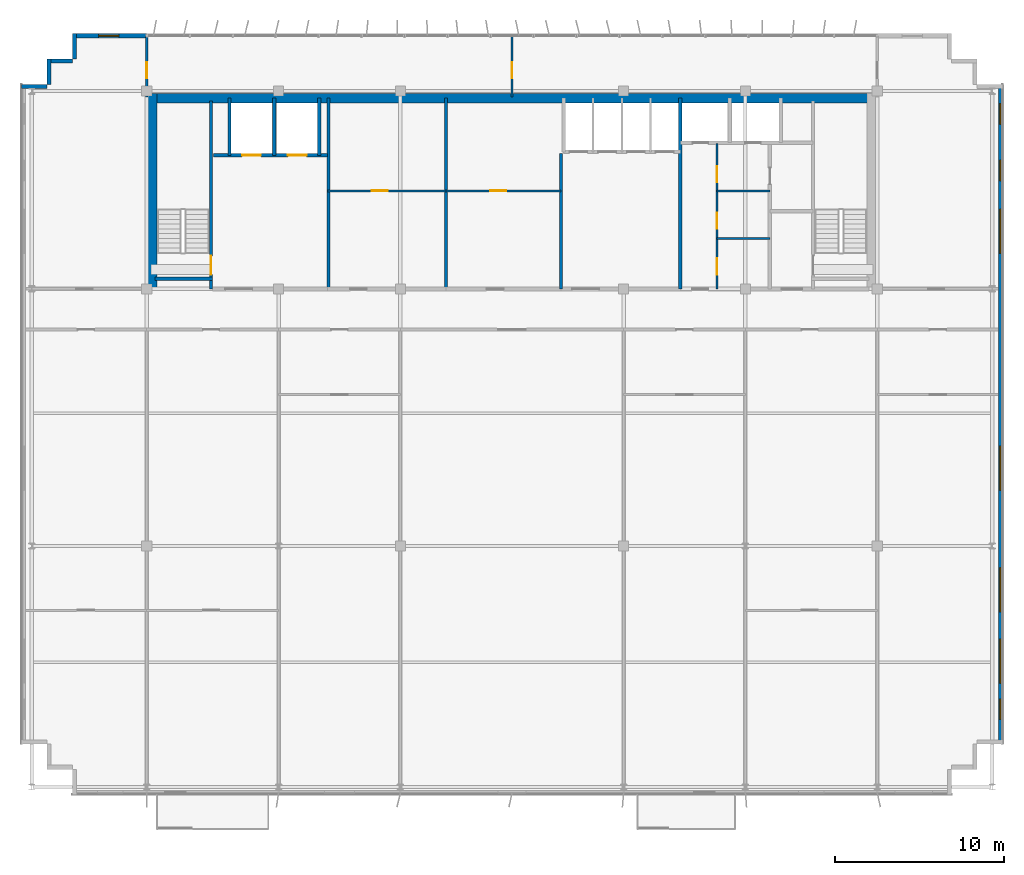
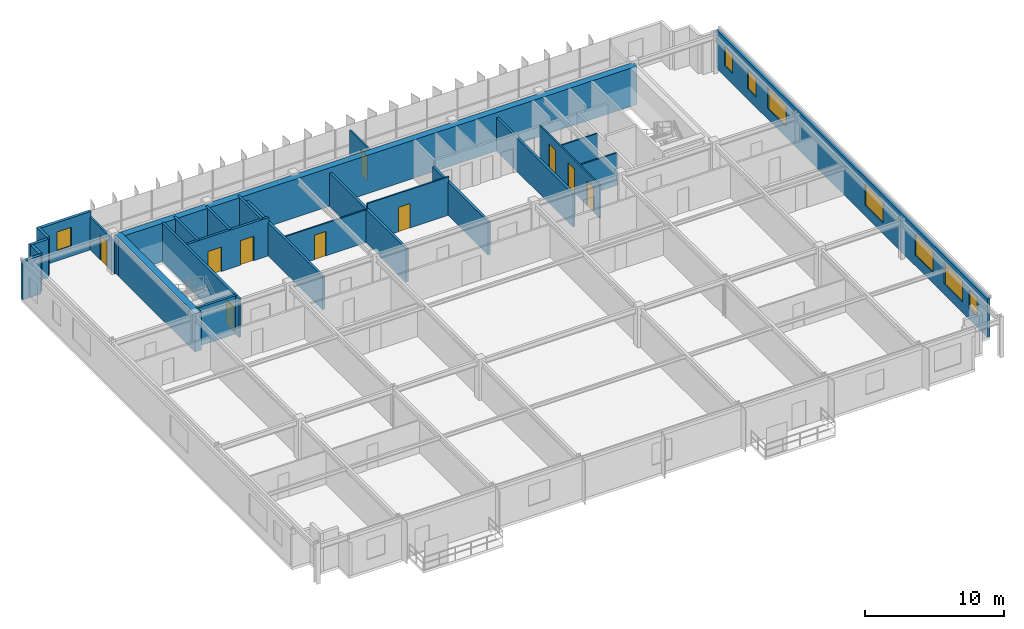
# One storey, part 18 of 21: 25 walls, 10 doors, 8 windows, 18 openings.
"""IFC4 building model written with IfcOpenShell, lengths in metres."""

from ifc_helpers import new_model, si_unit, direction, frame, frame_2d, origin, place, context, subcontext, project, spatial, rectangle, extrude, source, transform, mapped, material, layer, layer_set, type_object, element, fill, save


model = new_model("IFC4")

# Units and contexts
model_context = context("Model", 3, precision=1e-05, world=origin(), true_north=direction((0.0, 1.0)))
body_context = subcontext(model_context, "Body", "Model", "MODEL_VIEW")
ifc_project = project(units=[si_unit("LENGTHUNIT", "METRE"), si_unit("AREAUNIT", "SQUARE_METRE"), si_unit("VOLUMEUNIT", "CUBIC_METRE"), si_unit("PLANEANGLEUNIT", "RADIAN"), si_unit("MASSUNIT", "GRAM", prefix="KILO")], contexts=[model_context])

# Site, building, storey
site_placement = place(None, origin())
site = spatial("IfcSite", under=ifc_project, at=site_placement, CompositionType="ELEMENT")
building_placement = place(site_placement, origin())
building = spatial("IfcBuilding", under=site, at=building_placement, Name="Trelvane Seafront Commons", CompositionType="ELEMENT")
storey_placement = place(building_placement, frame((0.0, 0.0, 255.89990234375)))
storey = spatial("IfcBuildingStorey", under=building, at=storey_placement, Name="L66", CompositionType="ELEMENT", Elevation=255.89990234375)

# Wall, opening, window
ifc_material_1 = material(Name="Precast concrete C40/50", Category="concrete")
ifc_layer_1 = layer(ifc_material_1, 0.239990234375, Name="ARCH-WALL-EXT240")
ifc_layer_set_1 = layer_set([ifc_layer_1], Name="Precast concrete C40/50")
wall_type_1 = type_object("IfcWallType", Name="ARCH-WALL-EXT240", PredefinedType="SOLIDWALL", material=ifc_layer_set_1)
wall_1_placement = place(storey_placement, frame((11.300048828125, 48.3701171875, 0.0), z_axis=(0.0, 0.0, 1.0), x_axis=(1.0, 0.0, 0.0)))
wall_1 = element("IfcWall", 1, at=wall_1_placement, inside=storey, type_object=wall_type_1, Name="EW-L66-NW-1319", PredefinedType="SOLIDWALL", context=body_context, shape_type="SweptSolid", body=[
    extrude(rectangle(XDim=4.300048828125, YDim=0.239990234375, at=frame_2d((2.14990234375, 0.0))), origin(), (0.0, 0.0, 1.0), 3.3701171875),
])
opening_1_placement = place(wall_1_placement, frame((1.4599609375, 0.0, 0.89990234375)))
opening_1 = element("IfcOpeningElement", 2, at=opening_1_placement, cuts=wall_1, Name="Opening W05", PredefinedType="OPENING", context=body_context, shape_type="SweptSolid", body=[
    extrude(rectangle(XDim=1.199951171875, YDim=1.64990234375, at=frame_2d((0.60009765625, 0.824951171875))), frame((0.0, 0.1298828125, 0.0), z_axis=(0.0, -1.0, 0.0), x_axis=(1.0, 0.0, 0.0)), (0.0, 0.0, 1.0), 0.260009765625),
])
ifc_material_2 = material(Name="Low-E coastal double glazing", Category="glass")
window_type_1 = type_object("IfcWindowType", Name="ARCH-WIN-W05", PartitioningType="SINGLE_PANEL", PredefinedType="WINDOW", material=ifc_material_2)
shared_shape_1 = source(origin(), body_context, "Body", "SweptSolid", [
    extrude(rectangle(XDim=1.199951171875, YDim=1.64990234375, at=frame_2d((0.60009765625, 0.824951171875))), frame((0.0, 0.030029296875, 0.0), z_axis=(0.0, -1.0, 0.0), x_axis=(1.0, 0.0, 0.0)), (0.0, 0.0, 1.0), 0.06005859375),
])
window_1_placement = place(opening_1_placement, origin())
window_1 = element("IfcWindow", 3, at=window_1_placement, inside=storey, type_object=window_type_1, Name="WIN-L66-01574", OverallHeight=1.64990234375, OverallWidth=1.199951171875, PartitioningType="SINGLE_PANEL", PredefinedType="WINDOW", context=body_context, shape_type="MappedRepresentation", body=[
    mapped(shared_shape_1, transform((0.0, 0.0, 0.0), x_axis=(1.0, 0.0, 0.0), y_axis=(0.0, 1.0, 0.0), z_axis=(0.0, 0.0, 1.0), scale=1.0)),
])
fill(opening_1, window_1)

# Walls
for number, where, z_axis, x_axis, name in (
    (4, (8.199951171875, 45.3798828125, 0.0), (0.0, 0.0, 1.0), (1.0, 0.0, 0.0), "EW-L66-01325"),
    (5, (9.820068359375, 45.5, 0.0), (0.0, 0.0, 1.0), (0.0, 1.0, 0.0), "EW-L66-01326"),
    (6, (9.699951171875, 46.8798828125, 0.0), (0.0, 0.0, 1.0), (1.0, 0.0, 0.0), "EW-L66-01327"),
    (7, (11.320068359375, 47.0, 0.0), (0.0, 0.0, 1.0), (0.0, 1.0, 0.0), "EW-L66-01328"),
):
    element("IfcWall", number, at=place(storey_placement, frame(where, z_axis=z_axis, x_axis=x_axis)), inside=storey, type_object=wall_type_1, Name=name, PredefinedType="SOLIDWALL", context=body_context, shape_type="SweptSolid", body=[
        extrude(rectangle(XDim=1.5, YDim=0.239990234375, at=frame_2d((0.75, 0.0))), origin(), (0.0, 0.0, 1.0), 3.3701171875),
    ])

# Wall, openings, windows
wall_2_placement = place(storey_placement, frame((66.080078125, 45.5, 0.0), z_axis=(0.0, 0.0, 1.0), x_axis=(0.0, -1.0, 0.0)))
wall_2 = element("IfcWall", 8, at=wall_2_placement, inside=storey, type_object=wall_type_1, Name="EW-L66-01333", PredefinedType="SOLIDWALL", context=body_context, shape_type="SweptSolid", body=[
    extrude(rectangle(XDim=39.0, YDim=0.239990234375, at=frame_2d((19.5, 0.0))), origin(), (0.0, 0.0, 1.0), 3.3701171875),
])
opening_2_placement = place(wall_2_placement, frame((36.35009765625, 0.0, 0.919921875)))
opening_2 = element("IfcOpeningElement", 9, at=opening_2_placement, cuts=wall_2, Name="Opening W05", PredefinedType="OPENING", context=body_context, shape_type="SweptSolid", body=[
    extrude(rectangle(XDim=1.199951171875, YDim=1.64990234375, at=frame_2d((0.60009765625, 0.824951171875))), frame((0.0, 0.1298828125, 0.0), z_axis=(0.0, -1.0, 0.0), x_axis=(1.0, 0.0, 0.0)), (0.0, 0.0, 1.0), 0.260009765625),
])
opening_3_placement = place(wall_2_placement, frame((32.800048828125, 0.0, 0.919921875)))
opening_3 = element("IfcOpeningElement", 10, at=opening_3_placement, cuts=wall_2, Name="Opening W04", PredefinedType="OPENING", context=body_context, shape_type="SweptSolid", body=[
    extrude(rectangle(XDim=2.60009765625, YDim=1.89990234375, at=frame_2d((1.300048828125, 0.949951171875))), frame((0.0, 0.1298828125, 0.0), z_axis=(0.0, -1.0, 0.0), x_axis=(1.0, 0.0, 0.0)), (0.0, 0.0, 1.0), 0.260009765625),
])
opening_4_placement = place(wall_2_placement, frame((28.60009765625, 0.0, 0.919921875)))
opening_4 = element("IfcOpeningElement", 11, at=opening_4_placement, cuts=wall_2, Name="Opening W04", PredefinedType="OPENING", context=body_context, shape_type="SweptSolid", body=[
    extrude(rectangle(XDim=2.60009765625, YDim=1.89990234375, at=frame_2d((1.300048828125, 0.949951171875))), frame((0.0, 0.1298828125, 0.0), z_axis=(0.0, -1.0, 0.0), x_axis=(1.0, 0.0, 0.0)), (0.0, 0.0, 1.0), 0.260009765625),
])
opening_5_placement = place(wall_2_placement, frame((21.39990234375, 0.0, 0.919921875)))
opening_5 = element("IfcOpeningElement", 12, at=opening_5_placement, cuts=wall_2, Name="Opening W04", PredefinedType="OPENING", context=body_context, shape_type="SweptSolid", body=[
    extrude(rectangle(XDim=2.60009765625, YDim=1.89990234375, at=frame_2d((1.300048828125, 0.949951171875))), frame((0.0, 0.1298828125, 0.0), z_axis=(0.0, -1.0, 0.0), x_axis=(1.0, 0.0, 0.0)), (0.0, 0.0, 1.0), 0.260009765625),
])
opening_6_placement = place(wall_2_placement, frame((7.39990234375, 0.0, 0.919921875)))
opening_6 = element("IfcOpeningElement", 13, at=opening_6_placement, cuts=wall_2, Name="Opening W04", PredefinedType="OPENING", context=body_context, shape_type="SweptSolid", body=[
    extrude(rectangle(XDim=2.60009765625, YDim=1.89990234375, at=frame_2d((1.300048828125, 0.949951171875))), frame((0.0, 0.1298828125, 0.0), z_axis=(0.0, -1.0, 0.0), x_axis=(1.0, 0.0, 0.0)), (0.0, 0.0, 1.0), 0.260009765625),
])
opening_7_placement = place(wall_2_placement, frame((4.5, 0.0, 0.919921875)))
opening_7 = element("IfcOpeningElement", 14, at=opening_7_placement, cuts=wall_2, Name="Opening W05", PredefinedType="OPENING", context=body_context, shape_type="SweptSolid", body=[
    extrude(rectangle(XDim=1.199951171875, YDim=1.64990234375, at=frame_2d((0.60009765625, 0.824951171875))), frame((0.0, 0.1298828125, 0.0), z_axis=(0.0, -1.0, 0.0), x_axis=(1.0, 0.0, 0.0)), (0.0, 0.0, 1.0), 0.260009765625),
])
opening_8_placement = place(wall_2_placement, frame((1.14990234375, 0.0, 0.919921875)))
opening_8 = element("IfcOpeningElement", 15, at=opening_8_placement, cuts=wall_2, Name="Opening W05", PredefinedType="OPENING", context=body_context, shape_type="SweptSolid", body=[
    extrude(rectangle(XDim=1.199951171875, YDim=1.64990234375, at=frame_2d((0.60009765625, 0.824951171875))), frame((0.0, 0.1298828125, 0.0), z_axis=(0.0, -1.0, 0.0), x_axis=(1.0, 0.0, 0.0)), (0.0, 0.0, 1.0), 0.260009765625),
])
window_type_2 = type_object("IfcWindowType", Name="ARCH-WIN-W04", PartitioningType="SINGLE_PANEL", PredefinedType="WINDOW", material=ifc_material_2)
shared_shape_2 = source(origin(), body_context, "Body", "SweptSolid", [
    extrude(rectangle(XDim=2.60009765625, YDim=1.89990234375, at=frame_2d((1.300048828125, 0.949951171875))), frame((0.0, 0.030029296875, 0.0), z_axis=(0.0, -1.0, 0.0), x_axis=(1.0, 0.0, 0.0)), (0.0, 0.0, 1.0), 0.06005859375),
])
window_2_placement = place(opening_3_placement, origin())
window_2 = element("IfcWindow", 16, at=window_2_placement, inside=storey, type_object=window_type_2, Name="WIN-L66-EW-01583", OverallHeight=1.89990234375, OverallWidth=2.60009765625, PartitioningType="SINGLE_PANEL", PredefinedType="WINDOW", context=body_context, shape_type="MappedRepresentation", body=[
    mapped(shared_shape_2, transform((0.0, 0.0, 0.0), x_axis=(1.0, 0.0, 0.0), y_axis=(0.0, 1.0, 0.0), z_axis=(0.0, 0.0, 1.0), scale=1.0)),
])
fill(opening_3, window_2)
window_3_placement = place(opening_4_placement, origin())
window_3 = element("IfcWindow", 17, at=window_3_placement, inside=storey, type_object=window_type_2, Name="WIN-L66-EW-01584", OverallHeight=1.89990234375, OverallWidth=2.60009765625, PartitioningType="SINGLE_PANEL", PredefinedType="WINDOW", context=body_context, shape_type="MappedRepresentation", body=[
    mapped(shared_shape_2, transform((0.0, 0.0, 0.0), x_axis=(1.0, 0.0, 0.0), y_axis=(0.0, 1.0, 0.0), z_axis=(0.0, 0.0, 1.0), scale=1.0)),
])
fill(opening_4, window_3)
window_4_placement = place(opening_5_placement, origin())
window_4 = element("IfcWindow", 18, at=window_4_placement, inside=storey, type_object=window_type_2, Name="WIN-L66-EW-01585", OverallHeight=1.89990234375, OverallWidth=2.60009765625, PartitioningType="SINGLE_PANEL", PredefinedType="WINDOW", context=body_context, shape_type="MappedRepresentation", body=[
    mapped(shared_shape_2, transform((0.0, 0.0, 0.0), x_axis=(1.0, 0.0, 0.0), y_axis=(0.0, 1.0, 0.0), z_axis=(0.0, 0.0, 1.0), scale=1.0)),
])
fill(opening_5, window_4)
window_5_placement = place(opening_6_placement, origin())
window_5 = element("IfcWindow", 19, at=window_5_placement, inside=storey, type_object=window_type_2, Name="WIN-L66-EW-01586", OverallHeight=1.89990234375, OverallWidth=2.60009765625, PartitioningType="SINGLE_PANEL", PredefinedType="WINDOW", context=body_context, shape_type="MappedRepresentation", body=[
    mapped(shared_shape_2, transform((0.0, 0.0, 0.0), x_axis=(1.0, 0.0, 0.0), y_axis=(0.0, 1.0, 0.0), z_axis=(0.0, 0.0, 1.0), scale=1.0)),
])
fill(opening_6, window_5)
window_6_placement = place(opening_2_placement, origin())
window_6 = element("IfcWindow", 20, at=window_6_placement, inside=storey, type_object=window_type_1, Name="WIN-L66-EW-01582", OverallHeight=1.64990234375, OverallWidth=1.199951171875, PartitioningType="SINGLE_PANEL", PredefinedType="WINDOW", context=body_context, shape_type="MappedRepresentation", body=[
    mapped(shared_shape_1, transform((0.0, 0.0, 0.0), x_axis=(1.0, 0.0, 0.0), y_axis=(0.0, 1.0, 0.0), z_axis=(0.0, 0.0, 1.0), scale=1.0)),
])
fill(opening_2, window_6)
window_7_placement = place(opening_7_placement, origin())
window_7 = element("IfcWindow", 21, at=window_7_placement, inside=storey, type_object=window_type_1, Name="WIN-L66-EW-01587", OverallHeight=1.64990234375, OverallWidth=1.199951171875, PartitioningType="SINGLE_PANEL", PredefinedType="WINDOW", context=body_context, shape_type="MappedRepresentation", body=[
    mapped(shared_shape_1, transform((0.0, 0.0, 0.0), x_axis=(1.0, 0.0, 0.0), y_axis=(0.0, 1.0, 0.0), z_axis=(0.0, 0.0, 1.0), scale=1.0)),
])
fill(opening_7, window_7)
window_8_placement = place(opening_8_placement, origin())
window_8 = element("IfcWindow", 22, at=window_8_placement, inside=storey, type_object=window_type_1, Name="WIN-L66-EW-01588", OverallHeight=1.64990234375, OverallWidth=1.199951171875, PartitioningType="SINGLE_PANEL", PredefinedType="WINDOW", context=body_context, shape_type="MappedRepresentation", body=[
    mapped(shared_shape_1, transform((0.0, 0.0, 0.0), x_axis=(1.0, 0.0, 0.0), y_axis=(0.0, 1.0, 0.0), z_axis=(0.0, 0.0, 1.0), scale=1.0)),
])
fill(opening_8, window_8)

# Wall, opening, door
ifc_material_3 = material(Name="Gypsum Drywall Acoustic Partition")
ifc_layer_2 = layer(ifc_material_3, 0.1201171875, Name="ARCH-WALL-PART120")
ifc_layer_set_2 = layer_set([ifc_layer_2], Name="Gypsum Drywall Acoustic Partition")
wall_type_2 = type_object("IfcWallType", Name="ARCH-WALL-PART120", PredefinedType="PARTITIONING", material=ifc_layer_set_2)
wall_3_placement = place(storey_placement, frame((26.300048828125, 39.199951171875, 0.0), z_axis=(0.0, 0.0, 1.0), x_axis=(1.0, 0.0, 0.0)))
wall_3 = element("IfcWall", 23, at=wall_3_placement, inside=storey, type_object=wall_type_2, Name="W-L66-FREED-PL-MID-014", PredefinedType="PARTITIONING", context=body_context, shape_type="SweptSolid", body=[
    extrude(rectangle(XDim=7.0, YDim=0.1201171875, at=frame_2d((3.5, 0.0))), origin(), (0.0, 0.0, 1.0), 2.8701171875),
])
opening_9_placement = place(wall_3_placement, frame((2.60009765625, 0.0, 0.0)))
opening_9 = element("IfcOpeningElement", 24, at=opening_9_placement, cuts=wall_3, Name="Opening D-L66-06", PredefinedType="OPENING", context=body_context, shape_type="SweptSolid", body=[
    extrude(rectangle(XDim=0.949951171875, YDim=2.14990234375, at=frame_2d((0.47509765625, 1.074951171875))), frame((0.0, 0.070068359375, 0.0), z_axis=(0.0, -1.0, 0.0), x_axis=(1.0, 0.0, 0.0)), (0.0, 0.0, 1.0), 0.14013671875),
])
ifc_material_4 = material(Name="Acoustic timber door leaf", Category="wood")
door_type_1 = type_object("IfcDoorType", Name="ARCH-DR-INT950", OperationType="NOTDEFINED", PredefinedType="DOOR", material=ifc_material_4)
shared_shape_3 = source(origin(), body_context, "Body", "SweptSolid", [
    extrude(rectangle(XDim=0.949951171875, YDim=2.14990234375, at=frame_2d((0.47509765625, 1.074951171875))), frame((0.0, 0.02490234375, 0.0), z_axis=(0.0, -1.0, 0.0), x_axis=(1.0, 0.0, 0.0)), (0.0, 0.0, 1.0), 0.050048828125),
])
door_1_placement = place(opening_9_placement, origin())
door_1 = element("IfcDoor", 25, at=door_1_placement, inside=storey, type_object=door_type_1, Name="L66 Housekeeping Store Door", OperationType="SINGLE_SWING_RIGHT", OverallHeight=2.14990234375, OverallWidth=0.949951171875, PredefinedType="DOOR", context=body_context, shape_type="MappedRepresentation", body=[
    mapped(shared_shape_3, transform((0.0, 0.0, 0.0), x_axis=(1.0, 0.0, 0.0), y_axis=(0.0, 1.0, 0.0), z_axis=(0.0, 0.0, 1.0), scale=1.0)),
])
fill(opening_9, door_1)

wall_4_placement = place(storey_placement, frame((33.300048828125, 39.199951171875, 0.0), z_axis=(0.0, 0.0, 1.0), x_axis=(1.0, 0.0, 0.0)))
wall_4 = element("IfcWall", 26, at=wall_4_placement, inside=storey, type_object=wall_type_2, Name="W-L66-FREED-PM-MID-016", PredefinedType="PARTITIONING", context=body_context, shape_type="SweptSolid", body=[
    extrude(rectangle(XDim=6.800048828125, YDim=0.1201171875, at=frame_2d((3.39990234375, 0.0))), origin(), (0.0, 0.0, 1.0), 3.3701171875),
])
opening_10_placement = place(wall_4_placement, frame((2.60009765625, 0.0, 0.0)))
opening_10 = element("IfcOpeningElement", 27, at=opening_10_placement, cuts=wall_4, Name="Opening D-L66-07", PredefinedType="OPENING", context=body_context, shape_type="SweptSolid", body=[
    extrude(rectangle(XDim=0.949951171875, YDim=2.14990234375, at=frame_2d((0.47509765625, 1.074951171875))), frame((0.0, 0.070068359375, 0.0), z_axis=(0.0, -1.0, 0.0), x_axis=(1.0, 0.0, 0.0)), (0.0, 0.0, 1.0), 0.14013671875),
])
door_2_placement = place(opening_10_placement, origin())
door_2 = element("IfcDoor", 28, at=door_2_placement, inside=storey, type_object=door_type_1, Name="L66 IT Comms Room Door", OperationType="SINGLE_SWING_LEFT", OverallHeight=2.14990234375, OverallWidth=0.949951171875, PredefinedType="DOOR", context=body_context, shape_type="MappedRepresentation", body=[
    mapped(shared_shape_3, transform((0.0, 0.0, 0.0), x_axis=(1.0, 0.0, 0.0), y_axis=(0.0, 1.0, 0.0), z_axis=(0.0, 0.0, 1.0), scale=1.0)),
])
fill(opening_10, door_2)

# Wall, openings, doors
wall_5_placement = place(storey_placement, frame((49.320068359375, 33.39990234375, 0.0), z_axis=(0.0, 0.0, 1.0), x_axis=(0.0, 1.0, 0.0)))
wall_5 = element("IfcWall", 29, at=wall_5_placement, inside=storey, type_object=wall_type_2, Name="W-L66-CYC3-V-032", PredefinedType="PARTITIONING", context=body_context, shape_type="SweptSolid", body=[
    extrude(rectangle(XDim=8.60009765625, YDim=0.1201171875, at=frame_2d((4.300048828125, 0.0))), origin(), (0.0, 0.0, 1.0), 2.920166015625),
])
opening_11_placement = place(wall_5_placement, frame((0.85009765625, 0.0, 0.0)))
opening_11 = element("IfcOpeningElement", 30, at=opening_11_placement, cuts=wall_5, Name="Opening D-L66-18", PredefinedType="OPENING", context=body_context, shape_type="SweptSolid", body=[
    extrude(rectangle(XDim=0.949951171875, YDim=2.14990234375, at=frame_2d((0.47509765625, 1.074951171875))), frame((0.0, 0.070068359375, 0.0), z_axis=(0.0, -1.0, 0.0), x_axis=(1.0, 0.0, 0.0)), (0.0, 0.0, 1.0), 0.14013671875),
])
opening_12_placement = place(wall_5_placement, frame((3.550048828125, 0.0, 0.0)))
opening_12 = element("IfcOpeningElement", 31, at=opening_12_placement, cuts=wall_5, Name="Opening D-L66-19", PredefinedType="OPENING", context=body_context, shape_type="SweptSolid", body=[
    extrude(rectangle(XDim=0.949951171875, YDim=2.14990234375, at=frame_2d((0.47509765625, 1.074951171875))), frame((0.0, 0.070068359375, 0.0), z_axis=(0.0, -1.0, 0.0), x_axis=(1.0, 0.0, 0.0)), (0.0, 0.0, 1.0), 0.14013671875),
])
opening_13_placement = place(wall_5_placement, frame((6.300048828125, 0.0, 0.0)))
opening_13 = element("IfcOpeningElement", 32, at=opening_13_placement, cuts=wall_5, Name="Opening D-L66-20", PredefinedType="OPENING", context=body_context, shape_type="SweptSolid", body=[
    extrude(rectangle(XDim=0.949951171875, YDim=2.14990234375, at=frame_2d((0.47509765625, 1.074951171875))), frame((0.0, 0.070068359375, 0.0), z_axis=(0.0, -1.0, 0.0), x_axis=(1.0, 0.0, 0.0)), (0.0, 0.0, 1.0), 0.14013671875),
])
door_3_placement = place(opening_11_placement, origin())
door_3 = element("IfcDoor", 33, at=door_3_placement, inside=storey, type_object=door_type_1, Name="L66 Accessible WC Door", OperationType="SINGLE_SWING_RIGHT", OverallHeight=2.14990234375, OverallWidth=0.949951171875, PredefinedType="DOOR", context=body_context, shape_type="MappedRepresentation", body=[
    mapped(shared_shape_3, transform((0.0, 0.0, 0.0), x_axis=(1.0, 0.0, 0.0), y_axis=(0.0, 1.0, 0.0), z_axis=(0.0, 0.0, 1.0), scale=1.0)),
])
fill(opening_11, door_3)
door_4_placement = place(opening_12_placement, origin())
door_4 = element("IfcDoor", 34, at=door_4_placement, inside=storey, type_object=door_type_1, Name="L66 Staff WC Door", OperationType="SINGLE_SWING_LEFT", OverallHeight=2.14990234375, OverallWidth=0.949951171875, PredefinedType="DOOR", context=body_context, shape_type="MappedRepresentation", body=[
    mapped(shared_shape_3, transform((0.0, 0.0, 0.0), x_axis=(1.0, 0.0, 0.0), y_axis=(0.0, 1.0, 0.0), z_axis=(0.0, 0.0, 1.0), scale=1.0)),
])
fill(opening_12, door_4)
door_5_placement = place(opening_13_placement, origin())
door_5 = element("IfcDoor", 35, at=door_5_placement, inside=storey, type_object=door_type_1, Name="L66 Electrical Room Door", OperationType="SINGLE_SWING_RIGHT", OverallHeight=2.14990234375, OverallWidth=0.949951171875, PredefinedType="DOOR", context=body_context, shape_type="MappedRepresentation", body=[
    mapped(shared_shape_3, transform((0.0, 0.0, 0.0), x_axis=(1.0, 0.0, 0.0), y_axis=(0.0, 1.0, 0.0), z_axis=(0.0, 0.0, 1.0), scale=1.0)),
])
fill(opening_13, door_5)

# Walls
for number, where, z_axis, x_axis, name in (
    (36, (49.320068359375, 36.3798828125, 0.0), (0.0, 0.0, 1.0), (1.0, 0.0, 0.0), "W-L66-CYC3-H1-033"),
    (37, (49.320068359375, 39.179931640625, 0.0), (0.0, 0.0, 1.0), (1.0, 0.0, 0.0), "W-L66-CYC3-H2-034"),
):
    element("IfcWall", number, at=place(storey_placement, frame(where, z_axis=z_axis, x_axis=x_axis)), inside=storey, type_object=wall_type_2, Name=name, PredefinedType="PARTITIONING", context=body_context, shape_type="SweptSolid", body=[
        extrude(rectangle(XDim=3.1298828125, YDim=0.1201171875, at=frame_2d((1.56494140625, 0.0))), origin(), (0.0, 0.0, 1.0), 2.8701171875),
    ])

# Wall, opening, door
wall_6_placement = place(storey_placement, frame((37.199951171875, 44.75, 0.0), z_axis=(0.0, 0.0, 1.0), x_axis=(0.0, 1.0, 0.0)))
wall_6 = element("IfcWall", 38, at=wall_6_placement, inside=storey, type_object=wall_type_2, Name="W-L66-N-MID-DV-038", PredefinedType="PARTITIONING", context=body_context, shape_type="SweptSolid", body=[
    extrude(rectangle(XDim=3.610107421875, YDim=0.1201171875, at=frame_2d((1.80517578125, 0.0))), origin(), (0.0, 0.0, 1.0), 2.920166015625),
])
opening_14_placement = place(wall_6_placement, frame((1.10009765625, 0.0, 0.0)))
opening_14 = element("IfcOpeningElement", 39, at=opening_14_placement, cuts=wall_6, Name="Opening D-L66-25", PredefinedType="OPENING", context=body_context, shape_type="SweptSolid", body=[
    extrude(rectangle(XDim=0.949951171875, YDim=2.14990234375, at=frame_2d((0.47509765625, 1.074951171875))), frame((0.0, 0.070068359375, 0.0), z_axis=(0.0, -1.0, 0.0), x_axis=(1.0, 0.0, 0.0)), (0.0, 0.0, 1.0), 0.14013671875),
])
door_6_placement = place(opening_14_placement, origin())
door_6 = element("IfcDoor", 40, at=door_6_placement, inside=storey, type_object=door_type_1, Name="L66 Door 25", OperationType="SINGLE_SWING_LEFT", OverallHeight=2.14990234375, OverallWidth=0.949951171875, PredefinedType="DOOR", context=body_context, shape_type="MappedRepresentation", body=[
    mapped(shared_shape_3, transform((0.0, 0.0, 0.0), x_axis=(1.0, 0.0, 0.0), y_axis=(0.0, 1.0, 0.0), z_axis=(0.0, 0.0, 1.0), scale=1.0)),
])
fill(opening_14, door_6)

ifc_layer_3 = layer(ifc_material_3, 0.14990234375, Name="ARCH-WALL-PART150")
ifc_layer_set_3 = layer_set([ifc_layer_3], Name="Gypsum Drywall Acoustic Partition")
wall_type_3 = type_object("IfcWallType", Name="ARCH-WALL-PART150", PredefinedType="PARTITIONING", material=ifc_layer_set_3)
wall_7_placement = place(storey_placement, frame((15.60009765625, 44.75, 0.0), z_axis=(0.0, 0.0, 1.0), x_axis=(0.0, 1.0, 0.0)))
wall_7 = element("IfcWall", 41, at=wall_7_placement, inside=storey, type_object=wall_type_3, Name="W-L66-N-LINK-W-039", PredefinedType="PARTITIONING", context=body_context, shape_type="SweptSolid", body=[
    extrude(rectangle(XDim=3.610107421875, YDim=0.14990234375, at=frame_2d((1.80517578125, 0.0))), origin(), (0.0, 0.0, 1.0), 2.8701171875),
])
opening_15_placement = place(wall_7_placement, frame((1.10009765625, 0.0, 0.0)))
opening_15 = element("IfcOpeningElement", 42, at=opening_15_placement, cuts=wall_7, Name="Opening FD-L66-26", PredefinedType="OPENING", context=body_context, shape_type="SweptSolid", body=[
    extrude(rectangle(XDim=0.949951171875, YDim=2.14990234375, at=frame_2d((0.47509765625, 1.074951171875))), frame((0.0, 0.0849609375, 0.0), z_axis=(0.0, -1.0, 0.0), x_axis=(1.0, 0.0, 0.0)), (0.0, 0.0, 1.0), 0.169921875),
])
ifc_material_5 = material(Name="Powder-coated aluminium frame", Category="aluminium")
door_type_2 = type_object("IfcDoorType", Name="ARCH-DR-FD60-950", OperationType="NOTDEFINED", PredefinedType="DOOR", material=ifc_material_5)
door_7_placement = place(opening_15_placement, origin())
door_7 = element("IfcDoor", 43, at=door_7_placement, inside=storey, type_object=door_type_2, Name="L66 Door 26", OperationType="SINGLE_SWING_RIGHT", OverallHeight=2.14990234375, OverallWidth=0.949951171875, PredefinedType="DOOR", context=body_context, shape_type="MappedRepresentation", body=[
    mapped(shared_shape_3, transform((0.0, 0.0, 0.0), x_axis=(1.0, 0.0, 0.0), y_axis=(0.0, 1.0, 0.0), z_axis=(0.0, 0.0, 1.0), scale=1.0)),
])
fill(opening_15, door_7)

# Wall, openings, doors
ifc_material_6 = material(Name="Concrete C40/50", Category="concrete")
ifc_layer_4 = layer(ifc_material_6, 0.199951171875, Name="ARCH-WALL-SHAFT200")
ifc_layer_set_4 = layer_set([ifc_layer_4], Name="Concrete C40/50")
wall_type_4 = type_object("IfcWallType", Name="ARCH-WALL-SHAFT200", PredefinedType="SOLIDWALL", material=ifc_layer_set_4)
wall_8_placement = place(storey_placement, frame((19.550048828125, 41.300048828125, 0.0), z_axis=(0.0, 0.0, 1.0), x_axis=(1.0, 0.0, 0.0)))
wall_8 = element("IfcWall", 44, at=wall_8_placement, inside=storey, type_object=wall_type_4, Name="W-L66-FFL-FRONT-008", PredefinedType="SOLIDWALL", context=body_context, shape_type="SweptSolid", body=[
    extrude(rectangle(XDim=6.75, YDim=0.199951171875, at=frame_2d((3.375, 0.0))), origin(), (0.0, 0.0, 1.0), 3.3701171875),
])
opening_16_placement = place(wall_8_placement, frame((1.699951171875, 0.0, 0.0)))
opening_16 = element("IfcOpeningElement", 45, at=opening_16_placement, cuts=wall_8, Name="Opening LD-FF1-L66", PredefinedType="OPENING", context=body_context, shape_type="SweptSolid", body=[
    extrude(rectangle(XDim=1.10009765625, YDim=2.14990234375, at=frame_2d((0.550048828125, 1.074951171875))), frame((0.0, 0.10986328125, 0.0), z_axis=(0.0, -1.0, 0.0), x_axis=(1.0, 0.0, 0.0)), (0.0, 0.0, 1.0), 0.219970703125),
])
opening_17_placement = place(wall_8_placement, frame((4.39990234375, 0.0, 0.0)))
opening_17 = element("IfcOpeningElement", 46, at=opening_17_placement, cuts=wall_8, Name="Opening LD-FF2-L66", PredefinedType="OPENING", context=body_context, shape_type="SweptSolid", body=[
    extrude(rectangle(XDim=1.10009765625, YDim=2.14990234375, at=frame_2d((0.550048828125, 1.074951171875))), frame((0.0, 0.10986328125, 0.0), z_axis=(0.0, -1.0, 0.0), x_axis=(1.0, 0.0, 0.0)), (0.0, 0.0, 1.0), 0.219970703125),
])
ifc_material_7 = material(Name="Stainless steel balustrade", Category="steel")
door_type_3 = type_object("IfcDoorType", Name="ARCH-DR-LD1100", OperationType="DOUBLE_DOOR_SLIDING", PredefinedType="DOOR", material=ifc_material_7)
shared_shape_4 = source(origin(), body_context, "Body", "SweptSolid", [
    extrude(rectangle(XDim=1.10009765625, YDim=2.14990234375, at=frame_2d((0.550048828125, 1.074951171875))), frame((0.0, 0.02490234375, 0.0), z_axis=(0.0, -1.0, 0.0), x_axis=(1.0, 0.0, 0.0)), (0.0, 0.0, 1.0), 0.050048828125),
])
door_8_placement = place(opening_16_placement, origin())
door_8 = element("IfcDoor", 47, at=door_8_placement, inside=storey, type_object=door_type_3, Name="L66 Firefighting Lift FFL-1 Landing Door", OperationType="DOUBLE_DOOR_SLIDING", OverallHeight=2.14990234375, OverallWidth=1.10009765625, PredefinedType="DOOR", context=body_context, shape_type="MappedRepresentation", body=[
    mapped(shared_shape_4, transform((0.0, 0.0, 0.0), x_axis=(1.0, 0.0, 0.0), y_axis=(0.0, 1.0, 0.0), z_axis=(0.0, 0.0, 1.0), scale=1.0)),
])
fill(opening_16, door_8)
door_9_placement = place(opening_17_placement, origin())
door_9 = element("IfcDoor", 48, at=door_9_placement, inside=storey, type_object=door_type_3, Name="L66 Firefighting Lift FFL-2 Landing Door", OperationType="DOUBLE_DOOR_SLIDING", OverallHeight=2.14990234375, OverallWidth=1.10009765625, PredefinedType="DOOR", context=body_context, shape_type="MappedRepresentation", body=[
    mapped(shared_shape_4, transform((0.0, 0.0, 0.0), x_axis=(1.0, 0.0, 0.0), y_axis=(0.0, 1.0, 0.0), z_axis=(0.0, 0.0, 1.0), scale=1.0)),
])
fill(opening_17, door_9)

# Walls
for number, where, z_axis, x_axis, name in (
    (49, (20.5, 41.300048828125, 0.0), (0.0, 0.0, 1.0), (0.0, 1.0, 0.0), "W-L66-FFL-SH-W-009"),
    (50, (23.14990234375, 41.300048828125, 0.0), (0.0, 0.0, 1.0), (0.0, 1.0, 0.0), "W-L66-FFL-DIV-010"),
    (51, (25.800048828125, 41.300048828125, 0.0), (0.0, 0.0, 1.0), (0.0, 1.0, 0.0), "W-L66-FFL-SH-E-011"),
):
    element("IfcWall", number, at=place(storey_placement, frame(where, z_axis=z_axis, x_axis=x_axis)), inside=storey, type_object=wall_type_4, Name=name, PredefinedType="SOLIDWALL", context=body_context, shape_type="SweptSolid", body=[
        extrude(rectangle(XDim=3.39990234375, YDim=0.199951171875, at=frame_2d((1.699951171875, 0.0))), origin(), (0.0, 0.0, 1.0), 3.3701171875),
    ])
for number, where, z_axis, x_axis, name in (
    (52, (26.35009765625, 33.39990234375, 0.0), (0.0, 0.0, 1.0), (0.0, 1.0, 0.0), "W-L66-FFL-EAST-012"),
    (53, (33.300048828125, 33.39990234375, 0.0), (0.0, 0.0, 1.0), (0.0, 1.0, 0.0), "W-L66-FREED-PL-E-015"),
):
    element("IfcWall", number, at=place(storey_placement, frame(where, z_axis=z_axis, x_axis=x_axis)), inside=storey, type_object=wall_type_4, Name=name, PredefinedType="SOLIDWALL", context=body_context, shape_type="SweptSolid", body=[
        extrude(rectangle(XDim=11.300048828125, YDim=0.199951171875, at=frame_2d((5.64990234375, 0.0))), origin(), (0.0, 0.0, 1.0), 2.920166015625),
    ])
wall_9_placement = place(storey_placement, frame((40.10009765625, 33.39990234375, 0.0), z_axis=(0.0, 0.0, 1.0), x_axis=(0.0, 1.0, 0.0)))
element("IfcWall", 54, at=wall_9_placement, inside=storey, type_object=wall_type_4, Name="W-L66-FREED-PM-E-017", PredefinedType="SOLIDWALL", context=body_context, shape_type="SweptSolid", body=[
    extrude(rectangle(XDim=8.0, YDim=0.199951171875, at=frame_2d((4.0, 0.0))), origin(), (0.0, 0.0, 1.0), 2.920166015625),
])
wall_10_placement = place(storey_placement, frame((47.14990234375, 33.39990234375, 0.0), z_axis=(0.0, 0.0, 1.0), x_axis=(0.0, 1.0, 0.0)))
element("IfcWall", 55, at=wall_10_placement, inside=storey, type_object=wall_type_4, Name="W-L66-PH-EAST-023", PredefinedType="SOLIDWALL", context=body_context, shape_type="SweptSolid", body=[
    extrude(rectangle(XDim=11.300048828125, YDim=0.199951171875, at=frame_2d((5.64990234375, 0.0))), origin(), (0.0, 0.0, 1.0), 2.920166015625),
])
ifc_material_8 = material(Name="Concrete C50/60", Category="concrete")
ifc_layer_5 = layer(ifc_material_8, 0.550048828125, Name="STR-WALL-CORE550")
ifc_layer_set_5 = layer_set([ifc_layer_5], Name="Concrete C50/60")
wall_type_5 = type_object("IfcWallType", Name="STR-WALL-CORE550", PredefinedType="SHEAR", material=ifc_layer_set_5)
wall_11_placement = place(storey_placement, frame((15.64990234375, 44.675048828125, 0.0), z_axis=(0.0, 0.0, 1.0), x_axis=(1.0, 0.0, 0.0)))
element("IfcWall", 56, at=wall_11_placement, inside=storey, type_object=wall_type_5, Name="W-L66-CN-ALL-001", PredefinedType="SHEAR", context=body_context, shape_type="SweptSolid", body=[
    extrude(rectangle(XDim=43.10009765625, YDim=0.550048828125, at=frame_2d((21.550048828125, 0.0))), origin(), (0.0, 0.0, 1.0), 3.3701171875),
])
wall_12_placement = place(storey_placement, frame((15.925048828125, 33.39990234375, 0.0), z_axis=(0.0, 0.0, 1.0), x_axis=(0.0, 1.0, 0.0)))
element("IfcWall", 57, at=wall_12_placement, inside=storey, type_object=wall_type_5, Name="W-L66-CW-END-002", PredefinedType="SHEAR", context=body_context, shape_type="SweptSolid", body=[
    extrude(rectangle(XDim=11.550048828125, YDim=0.550048828125, at=frame_2d((5.77490234375, 0.0))), origin(), (0.0, 0.0, 1.0), 3.3701171875),
])
ifc_layer_6 = layer(ifc_material_8, 0.199951171875, Name="STR-WALL-STAIR200")
ifc_layer_set_6 = layer_set([ifc_layer_6], Name="Concrete C50/60")
wall_type_6 = type_object("IfcWallType", Name="STR-WALL-STAIR200", PredefinedType="SHEAR", material=ifc_layer_set_6)
wall_13_placement = place(storey_placement, frame((16.10009765625, 34.0, 0.0), z_axis=(0.0, 0.0, 1.0), x_axis=(1.0, 0.0, 0.0)))
element("IfcWall", 58, at=wall_13_placement, inside=storey, type_object=wall_type_6, Name="W-L66-ST1-S-004", PredefinedType="SHEAR", context=body_context, shape_type="SweptSolid", body=[
    extrude(rectangle(XDim=3.39990234375, YDim=0.199951171875, at=frame_2d((1.699951171875, 0.0))), origin(), (0.0, 0.0, 1.0), 3.3701171875),
])

# Wall, opening, door
wall_14_placement = place(storey_placement, frame((19.39990234375, 33.39990234375, 0.0), z_axis=(0.0, 0.0, 1.0), x_axis=(0.0, 1.0, 0.0)))
wall_14 = element("IfcWall", 59, at=wall_14_placement, inside=storey, type_object=wall_type_6, Name="W-L66-ST1-E-005", PredefinedType="SHEAR", context=body_context, shape_type="SweptSolid", body=[
    extrude(rectangle(XDim=11.10009765625, YDim=0.199951171875, at=frame_2d((5.550048828125, 0.0))), origin(), (0.0, 0.0, 1.0), 3.3701171875),
])
opening_18_placement = place(wall_14_placement, frame((0.85009765625, 0.0, 0.0)))
opening_18 = element("IfcOpeningElement", 60, at=opening_18_placement, cuts=wall_14, Name="Opening ST-D1-L66", PredefinedType="OPENING", context=body_context, shape_type="SweptSolid", body=[
    extrude(rectangle(XDim=1.10009765625, YDim=2.14990234375, at=frame_2d((0.550048828125, 1.074951171875))), frame((0.0, 0.10986328125, 0.0), z_axis=(0.0, -1.0, 0.0), x_axis=(1.0, 0.0, 0.0)), (0.0, 0.0, 1.0), 0.219970703125),
])
door_type_4 = type_object("IfcDoorType", Name="ARCH-DR-FD90-1100", OperationType="NOTDEFINED", PredefinedType="DOOR", material=ifc_material_5)
door_10_placement = place(opening_18_placement, origin())
door_10 = element("IfcDoor", 61, at=door_10_placement, inside=storey, type_object=door_type_4, Name="L66 Stair ST-1 Lobby Fire Door", OperationType="SINGLE_SWING_LEFT", OverallHeight=2.14990234375, OverallWidth=1.10009765625, PredefinedType="DOOR", context=body_context, shape_type="MappedRepresentation", body=[
    mapped(shared_shape_4, transform((0.0, 0.0, 0.0), x_axis=(1.0, 0.0, 0.0), y_axis=(0.0, 1.0, 0.0), z_axis=(0.0, 0.0, 1.0), scale=1.0)),
])
fill(opening_18, door_10)

save(model, "model.ifc")
